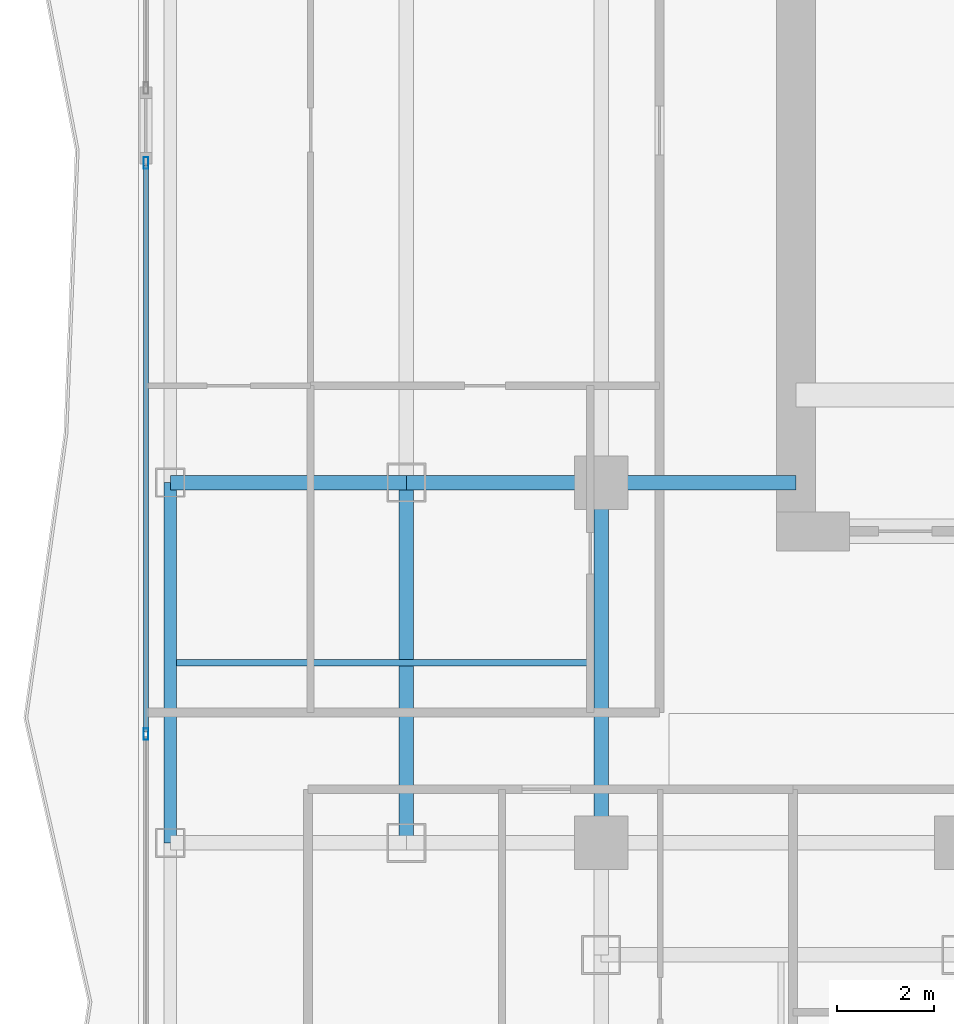
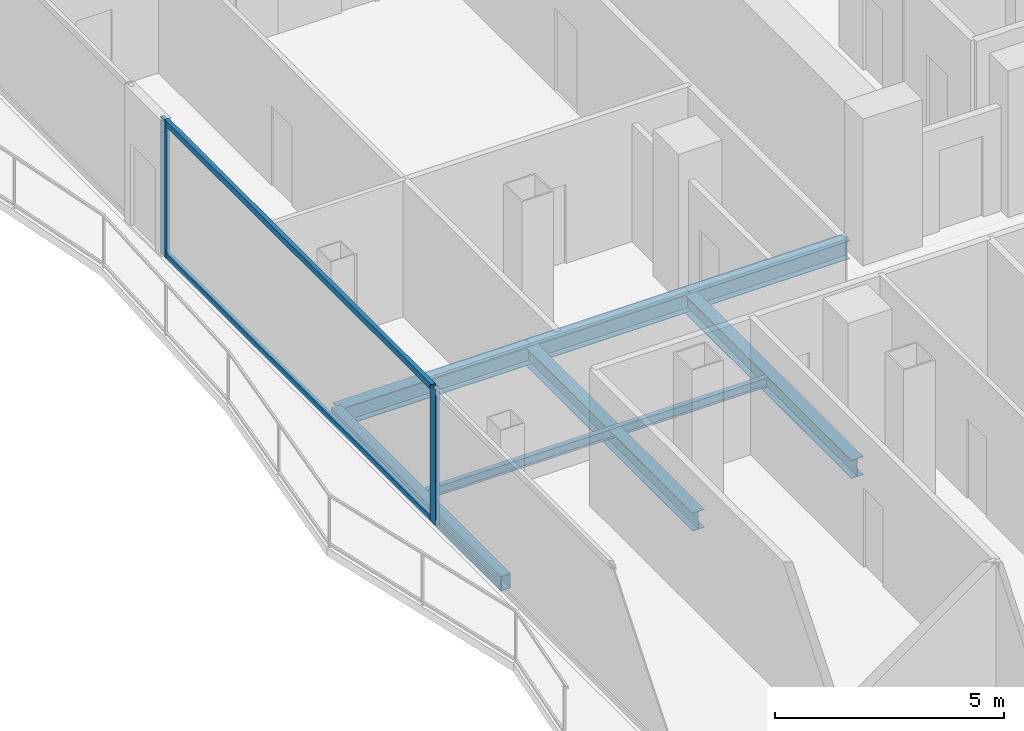
# One storey, part 5 of 23: 7 beams, 4 members, 1 element without a shape of its own.
"""IFC4 building model written with IfcOpenShell, lengths in metres."""

from ifc_helpers import new_model, si_unit, direction, frame, origin, origin_2d, place, context, subcontext, project, spatial, hollow_rectangle, i_section, extrude, material, layer, layer_set, material_profile, profile_set, type_object, element, aggregate, save


model = new_model("IFC4")

# Units and contexts
model_context = context("Model", 3, precision=1e-05, world=origin(), true_north=direction((0.0, 1.0)))
body_context = subcontext(model_context, "Body", "Model", "MODEL_VIEW")
ifc_project = project(units=[si_unit("LENGTHUNIT", "METRE"), si_unit("AREAUNIT", "SQUARE_METRE"), si_unit("VOLUMEUNIT", "CUBIC_METRE"), si_unit("PLANEANGLEUNIT", "RADIAN"), si_unit("MASSUNIT", "GRAM", prefix="KILO")], contexts=[model_context])

# Site, building, storey
site_placement = place(None, origin())
site = spatial("IfcSite", under=ifc_project, at=site_placement, CompositionType="ELEMENT")
building_placement = place(site_placement, origin())
building = spatial("IfcBuilding", under=site, at=building_placement, Name="Khorvyn Point Tower", CompositionType="ELEMENT")
storey_placement = place(building_placement, frame((0.0, 0.0, 207.0)))
storey = spatial("IfcBuildingStorey", under=building, at=storey_placement, Name="L51", CompositionType="ELEMENT", Elevation=207.0)

# Curtain wall, members
ifc_material_1 = material(Name="Anodised aluminium 6063-T6 and laminated Low-E glass", Category="aluminium")
ifc_layer = layer(ifc_material_1, 0.18994140625)
ifc_layer_set = layer_set([ifc_layer], Name="Stick-Built Acoustic Curtain Wall CW-SYS-03")
curtain_wall_type = type_object("IfcCurtainWallType", Name="Stick-Built Acoustic Curtain Wall CW-SYS-03", PredefinedType="NOTDEFINED", material=ifc_layer_set)
curtain_wall_placement = place(storey_placement, origin())
curtain_wall = element("IfcCurtainWall", 1, at=curtain_wall_placement, inside=storey, type_object=curtain_wall_type, Name="Curtain Wall", PredefinedType="NOTDEFINED")
ifc_material_2 = material(Name="Anodised aluminium 6063-T6", Category="aluminium")
ifc_material_profile_1 = material_profile(ifc_material_2, hollow_rectangle(XDim=0.10009765625, YDim=0.239990234375, WallThickness=0.0048828125, at=origin_2d()))
ifc_profile_set_1 = profile_set([ifc_material_profile_1], Name="Anodised aluminium 6063-T6 ALU-MUL-100x240")
member_type_1 = type_object("IfcMemberType", Name="Anodised Aluminium 6063-T6 Mullion ALU-MUL-100x240", PredefinedType="MULLION", material=ifc_profile_set_1)
member_1_placement = place(storey_placement, frame((-24.14990234375, -12.56640625, 0.0), z_axis=(0.0, 0.0, 1.0), x_axis=(-1.0, 0.0, 0.0)))
member_1 = element("IfcMember", 2, at=member_1_placement, type_object=member_type_1, Name="Transom", PredefinedType="MULLION", context=body_context, shape_type="SweptSolid", body=[
    extrude(hollow_rectangle(XDim=0.10009765625, YDim=0.239990234375, WallThickness=0.0048828125, at=origin_2d()), origin(), (0.0, 0.0, 1.0), 3.6201171875),
])
member_2_placement = place(storey_placement, frame((-24.14990234375, -0.8330078125, 0.0), z_axis=(0.0, 0.0, 1.0), x_axis=(-1.0, 0.0, 0.0)))
member_2 = element("IfcMember", 3, at=member_2_placement, type_object=member_type_1, Name="Transom", PredefinedType="MULLION", context=body_context, shape_type="SweptSolid", body=[
    extrude(hollow_rectangle(XDim=0.10009765625, YDim=0.239990234375, WallThickness=0.0048828125, at=origin_2d()), origin(), (0.0, 0.0, 1.0), 3.6201171875),
])
ifc_material_profile_2 = material_profile(ifc_material_2, hollow_rectangle(XDim=0.10009765625, YDim=0.159912109375, WallThickness=0.00439453125, at=origin_2d()))
ifc_profile_set_2 = profile_set([ifc_material_profile_2], Name="Anodised aluminium 6063-T6 ALU-TRN-100x160")
member_type_2 = type_object("IfcMemberType", Name="Anodised Aluminium 6063-T6 Transom ALU-TRN-100x160", PredefinedType="USERDEFINED", material=ifc_profile_set_2)
member_3_placement = place(storey_placement, frame((-24.14990234375, -12.5166015625, 0.050048828125), z_axis=(0.0, 1.0, 0.0), x_axis=(-1.0, 0.0, 0.0)))
member_3 = element("IfcMember", 4, at=member_3_placement, type_object=member_type_2, Name="Transom", ObjectType="TRANSOM", PredefinedType="USERDEFINED", context=body_context, shape_type="SweptSolid", body=[
    extrude(hollow_rectangle(XDim=0.10009765625, YDim=0.159912109375, WallThickness=0.00439453125, at=origin_2d()), origin(), (0.0, 0.0, 1.0), 11.633544921875),
])
member_4_placement = place(storey_placement, frame((-24.14990234375, -12.5166015625, 3.570068359375), z_axis=(0.0, 1.0, 0.0), x_axis=(-1.0, 0.0, 0.0)))
member_4 = element("IfcMember", 5, at=member_4_placement, type_object=member_type_2, Name="Transom", ObjectType="TRANSOM", PredefinedType="USERDEFINED", context=body_context, shape_type="SweptSolid", body=[
    extrude(hollow_rectangle(XDim=0.10009765625, YDim=0.159912109375, WallThickness=0.00439453125, at=origin_2d()), origin(), (0.0, 0.0, 1.0), 11.633544921875),
])
aggregate(curtain_wall, [member_1, member_2, member_3, member_4])

# Beams
ifc_material_3 = material(Name="Steel S355", Category="steel")
ifc_material_profile_3 = material_profile(ifc_material_3, i_section(OverallWidth=0.125, OverallDepth=0.25, WebThickness=0.006103515625, FlangeThickness=0.009033203125, at=origin_2d()))
ifc_profile_set_3 = profile_set([ifc_material_profile_3], Name="Steel S355 H250x125x6x9")
beam_type_1 = type_object("IfcBeamType", Name="Steel S355 Joist H250x125x6x9", PredefinedType="JOIST", material=ifc_profile_set_3)
beam_1_placement = place(storey_placement, frame((-23.52490234375, -11.10009765625, -0.344970703125), z_axis=(1.0, 0.0, 0.0), x_axis=(0.0, 1.0, 0.0)))
element("IfcBeam", 6, at=beam_1_placement, inside=storey, type_object=beam_type_1, Name="Beam", PredefinedType="JOIST", context=body_context, shape_type="SweptSolid", body=[
    extrude(i_section(OverallWidth=0.125, OverallDepth=0.25, WebThickness=0.006103515625, FlangeThickness=0.009033203125, at=origin_2d()), origin(), (0.0, 0.0, 1.0), 8.574951171875),
])
ifc_material_profile_4 = material_profile(ifc_material_3, i_section(OverallWidth=0.300048828125, OverallDepth=0.488037109375, WebThickness=0.010986328125, FlangeThickness=0.01806640625, at=origin_2d()))
ifc_profile_set_4 = profile_set([ifc_material_profile_4], Name="Steel S355 H488x300x11x18")
beam_type_2 = type_object("IfcBeamType", Name="Steel S355 Spandrel H488x300x11x18", PredefinedType="SPANDREL", material=ifc_profile_set_4)
beam_2_placement = place(storey_placement, frame((-23.64990234375, -7.39990234375, -0.464111328125), z_axis=(1.0, 0.0, 0.0), x_axis=(0.0, 1.0, 0.0)))
element("IfcBeam", 7, at=beam_2_placement, inside=storey, type_object=beam_type_2, Name="Beam", PredefinedType="SPANDREL", context=body_context, shape_type="SweptSolid", body=[
    extrude(i_section(OverallWidth=0.300048828125, OverallDepth=0.488037109375, WebThickness=0.010986328125, FlangeThickness=0.01806640625, at=origin_2d()), origin(), (0.0, 0.0, 1.0), 4.849853515625),
])
for number, where, z_axis, x_axis, name in (
    (8, (-18.800048828125, -7.39990234375, -0.464111328125), (1.0, 0.0, 0.0), (0.0, 1.0, 0.0), "Beam"),
    (9, (-14.800048828125, -7.39990234375, -0.464111328125), (1.0, 0.0, 0.0), (0.0, 1.0, 0.0), "Beam"),
):
    element("IfcBeam", number, at=place(storey_placement, frame(where, z_axis=z_axis, x_axis=x_axis)), inside=storey, type_object=beam_type_2, Name=name, PredefinedType="SPANDREL", context=body_context, shape_type="SweptSolid", body=[
        extrude(i_section(OverallWidth=0.300048828125, OverallDepth=0.488037109375, WebThickness=0.010986328125, FlangeThickness=0.01806640625, at=origin_2d()), origin(), (0.0, 0.0, 1.0), 4.0),
    ])
for number, where, z_axis, x_axis, name in (
    (10, (-14.800048828125, -14.800048828125, -0.464111328125), (0.0, 1.0, 0.0), (-1.0, 0.0, 0.0), "Beam"),
    (11, (-18.800048828125, -14.800048828125, -0.464111328125), (0.0, 1.0, 0.0), (-1.0, 0.0, 0.0), "Beam"),
):
    element("IfcBeam", number, at=place(storey_placement, frame(where, z_axis=z_axis, x_axis=x_axis)), inside=storey, type_object=beam_type_2, Name=name, PredefinedType="SPANDREL", context=body_context, shape_type="SweptSolid", body=[
        extrude(i_section(OverallWidth=0.300048828125, OverallDepth=0.488037109375, WebThickness=0.010986328125, FlangeThickness=0.01806640625, at=origin_2d()), origin(), (0.0, 0.0, 1.0), 7.400146484375),
    ])
ifc_material_profile_5 = material_profile(ifc_material_3, hollow_rectangle(XDim=0.25, YDim=0.39990234375, WallThickness=0.01611328125, at=origin_2d()))
ifc_profile_set_5 = profile_set([ifc_material_profile_5], Name="Steel S355 RHS400x250x16")
beam_type_3 = type_object("IfcBeamType", Name="Steel S355 Spandrel RHS400x250x16", PredefinedType="SPANDREL", material=ifc_profile_set_5)
beam_3_placement = place(storey_placement, frame((-23.64990234375, -14.800048828125, -0.419921875), z_axis=(0.0, 1.0, 0.0), x_axis=(-1.0, 0.0, 0.0)))
element("IfcBeam", 12, at=beam_3_placement, inside=storey, type_object=beam_type_3, Name="Beam", PredefinedType="SPANDREL", context=body_context, shape_type="SweptSolid", body=[
    extrude(hollow_rectangle(XDim=0.25, YDim=0.39990234375, WallThickness=0.01611328125, at=origin_2d()), origin(), (0.0, 0.0, 1.0), 7.400146484375),
])

save(model, "model.ifc")
